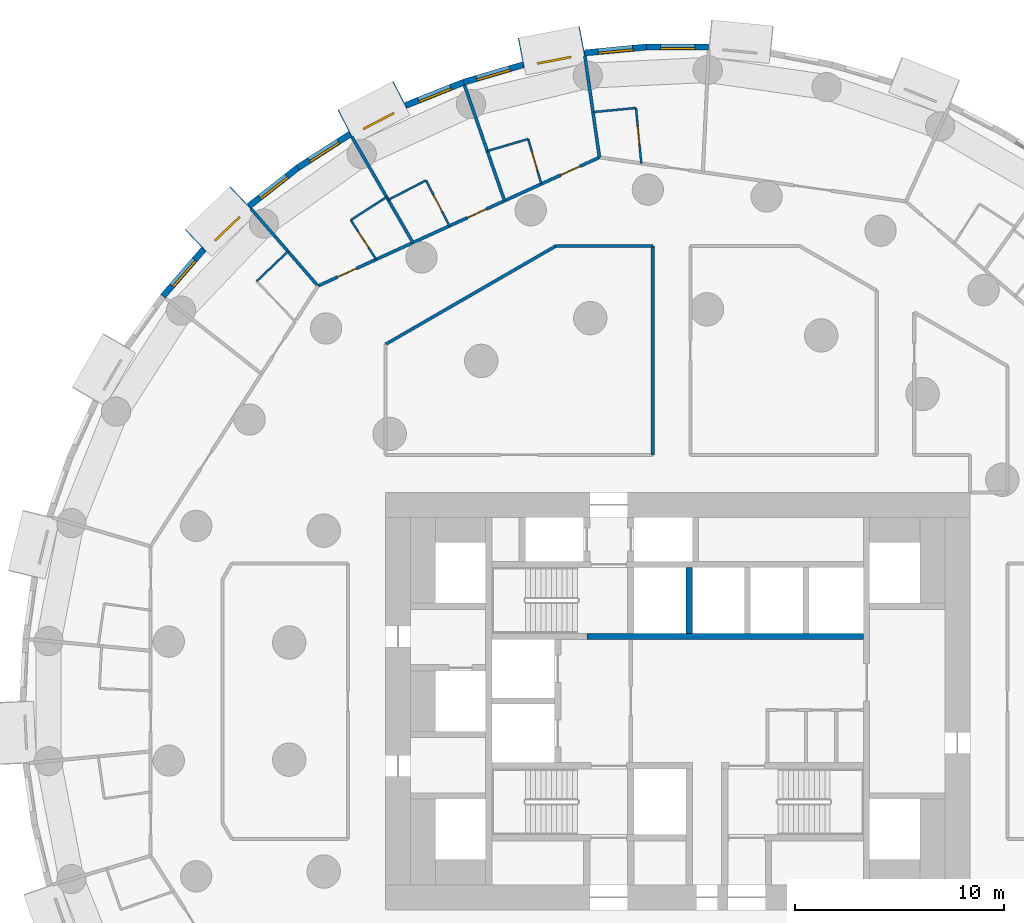
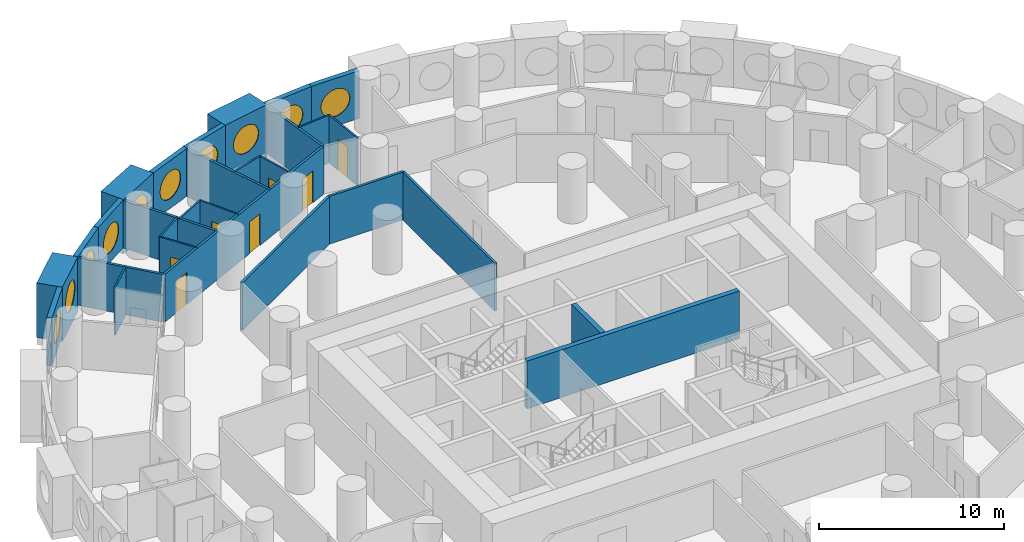
# One storey, part 8 of 12: 29 walls, 10 windows, 7 doors, 17 openings.
"""IFC4 building model written with IfcOpenShell, lengths in metres."""

from ifc_helpers import new_model, si_unit, direction, frame, frame_2d, origin, origin_2d, place, context, subcontext, project, spatial, rectangle, circle, extrude, material, layer, layer_set, type_object, element, fill, save


model = new_model("IFC4")

# Units and contexts
model_context = context("Model", 3, precision=1e-05, world=origin(), true_north=direction((0.0, 1.0)))
body_context = subcontext(model_context, "Body", "Model", "MODEL_VIEW")
ifc_project = project(units=[si_unit("LENGTHUNIT", "METRE"), si_unit("AREAUNIT", "SQUARE_METRE"), si_unit("VOLUMEUNIT", "CUBIC_METRE"), si_unit("PLANEANGLEUNIT", "RADIAN"), si_unit("MASSUNIT", "GRAM", prefix="KILO")], contexts=[model_context])

# Site, building, storey
site_placement = place(None, origin())
site = spatial("IfcSite", under=ifc_project, at=site_placement, CompositionType="ELEMENT")
building_placement = place(site_placement, origin())
building = spatial("IfcBuilding", under=site, at=building_placement, Name="Tracery Tower", CompositionType="ELEMENT")
storey_placement = place(building_placement, frame((0.0, 0.0, 28.199951171875)))
storey = spatial("IfcBuildingStorey", under=building, at=storey_placement, Name="L05", CompositionType="ELEMENT", Elevation=28.199951171875)

# Wall, opening, window
ifc_material_1 = material(Name="Precast concrete C50/60", Category="concrete")
ifc_layer_1 = layer(ifc_material_1, 1.449951171875)
ifc_layer_set_1 = layer_set([ifc_layer_1], Name="Deep-set bay unit 3000 x 3600, slab edge 450")
wall_type_1 = type_object("IfcWallType", Name="Deep-set bay unit 3000 x 3600, slab edge 450", PredefinedType="ELEMENTEDWALL", material=ifc_layer_set_1)
wall_1_placement = place(storey_placement, frame((-4.56689453125, 31.62109375, -0.449951171875), z_axis=(0.0, 0.0, 1.0), x_axis=(-0.981921602273, -0.189288052949, 0.0)))
wall_1 = element("IfcWall", 1, at=wall_1_placement, inside=storey, type_object=wall_type_1, Name="Deep-set bay unit 19 at L05", PredefinedType="ELEMENTEDWALL", context=body_context, shape_type="SweptSolid", body=[
    extrude(rectangle(XDim=3.0, YDim=1.449951171875, at=frame_2d((1.5, 0.0))), origin(), (0.0, 0.0, 1.0), 3.60009765625),
])
opening_1_placement = place(wall_1_placement, frame((1.5, 0.0, 2.0)))
opening_1 = element("IfcOpeningElement", 2, at=opening_1_placement, cuts=wall_1, Name="Opening WN1", PredefinedType="OPENING", context=body_context, shape_type="SweptSolid", body=[
    extrude(circle(Radius=0.9000244140625, at=origin_2d()), frame((0.0, 0.73486328125, 0.0), z_axis=(0.0, -1.0, 0.0), x_axis=(1.0, 0.0, 0.0)), (0.0, 0.0, 1.0), 1.469970703125),
])
ifc_material_2 = material(Name="Aluminium frame with tinted double glazing", Category="aluminium")
window_type = type_object("IfcWindowType", Name="Round window 1800", PartitioningType="SINGLE_PANEL", PredefinedType="WINDOW", material=ifc_material_2)
window_1_placement = place(opening_1_placement, origin())
window_1 = element("IfcWindow", 3, at=window_1_placement, inside=storey, type_object=window_type, Name="Round window 19 at L05", OverallHeight=1.800048828125, OverallWidth=1.800048828125, PartitioningType="SINGLE_PANEL", PredefinedType="WINDOW", context=body_context, shape_type="SweptSolid", body=[
    extrude(circle(Radius=0.9000244140625, at=origin_2d()), frame((0.0, 0.69482421875, 0.0), z_axis=(0.0, -1.0, 0.0), x_axis=(1.0, 0.0, 0.0)), (0.0, 0.0, 1.0), 0.10009765625),
])
fill(opening_1, window_1)

wall_2_placement = place(storey_placement, frame((-13.29052734375, 29.053466796875, -0.449951171875), z_axis=(0.0, 0.0, 1.0), x_axis=(-0.888858064689, -0.458182650083, 0.0)))
wall_2 = element("IfcWall", 4, at=wall_2_placement, inside=storey, type_object=wall_type_1, Name="Deep-set bay unit 22 at L05", PredefinedType="ELEMENTEDWALL", context=body_context, shape_type="SweptSolid", body=[
    extrude(rectangle(XDim=3.0, YDim=1.449951171875, at=frame_2d((1.5, 0.0))), origin(), (0.0, 0.0, 1.0), 3.60009765625),
])
opening_2_placement = place(wall_2_placement, frame((1.5, 0.0, 2.0)))
opening_2 = element("IfcOpeningElement", 5, at=opening_2_placement, cuts=wall_2, Name="Opening WN1", PredefinedType="OPENING", context=body_context, shape_type="SweptSolid", body=[
    extrude(circle(Radius=0.9000244140625, at=origin_2d()), frame((0.0, 0.73486328125, 0.0), z_axis=(0.0, -1.0, 0.0), x_axis=(1.0, 0.0, 0.0)), (0.0, 0.0, 1.0), 1.469970703125),
])
window_2_placement = place(opening_2_placement, origin())
window_2 = element("IfcWindow", 6, at=window_2_placement, inside=storey, type_object=window_type, Name="Round window 22 at L05", OverallHeight=1.800048828125, OverallWidth=1.800048828125, PartitioningType="SINGLE_PANEL", PredefinedType="WINDOW", context=body_context, shape_type="SweptSolid", body=[
    extrude(circle(Radius=0.9000244140625, at=origin_2d()), frame((0.0, 0.69482421875, 0.0), z_axis=(0.0, -1.0, 0.0), x_axis=(1.0, 0.0, 0.0)), (0.0, 0.0, 1.0), 0.10009765625),
])
fill(opening_2, window_2)

wall_3_placement = place(storey_placement, frame((-20.9375, 24.13232421875, -0.449951171875), z_axis=(0.0, 0.0, 1.0), x_axis=(-0.723712023899, -0.690102098579, 0.0)))
wall_3 = element("IfcWall", 7, at=wall_3_placement, inside=storey, type_object=wall_type_1, Name="Deep-set bay unit 25 at L05", PredefinedType="ELEMENTEDWALL", context=body_context, shape_type="SweptSolid", body=[
    extrude(rectangle(XDim=3.0, YDim=1.449951171875, at=frame_2d((1.5, 0.0))), origin(), (0.0, 0.0, 1.0), 3.60009765625),
])
opening_3_placement = place(wall_3_placement, frame((1.5, 0.0, 2.0)))
opening_3 = element("IfcOpeningElement", 8, at=opening_3_placement, cuts=wall_3, Name="Opening WN1", PredefinedType="OPENING", context=body_context, shape_type="SweptSolid", body=[
    extrude(circle(Radius=0.9000244140625, at=origin_2d()), frame((0.0, 0.73486328125, 0.0), z_axis=(0.0, -1.0, 0.0), x_axis=(1.0, 0.0, 0.0)), (0.0, 0.0, 1.0), 1.469970703125),
])
window_3_placement = place(opening_3_placement, origin())
window_3 = element("IfcWindow", 9, at=window_3_placement, inside=storey, type_object=window_type, Name="Round window 25 at L05", OverallHeight=1.800048828125, OverallWidth=1.800048828125, PartitioningType="SINGLE_PANEL", PredefinedType="WINDOW", context=body_context, shape_type="SweptSolid", body=[
    extrude(circle(Radius=0.9000244140625, at=origin_2d()), frame((0.0, 0.69482421875, 0.0), z_axis=(0.0, -1.0, 0.0), x_axis=(1.0, 0.0, 0.0)), (0.0, 0.0, 1.0), 0.10009765625),
])
fill(opening_3, window_3)

ifc_material_3 = material(Name="Precast concrete C50/60", Category="concrete")
ifc_layer_2 = layer(ifc_material_3, 0.300048828125)
ifc_layer_set_2 = layer_set([ifc_layer_2], Name="Facade panel 3000 x 3150")
wall_type_2 = type_object("IfcWallType", Name="Facade panel 3000 x 3150", PredefinedType="SOLIDWALL", material=ifc_layer_set_2)
wall_4_placement = place(storey_placement, frame((1.48681640625, 31.3388671875, 0.0), z_axis=(0.0, 0.0, 1.0), x_axis=(-1.0, 0.0, 0.0)))
wall_4 = element("IfcWall", 10, at=wall_4_placement, inside=storey, type_object=wall_type_2, Name="Facade panel 17 at L05", PredefinedType="SOLIDWALL", context=body_context, shape_type="SweptSolid", body=[
    extrude(rectangle(XDim=2.979736328125, YDim=0.300048828125, at=frame_2d((1.48974609375, 0.0))), origin(), (0.0, 0.0, 1.0), 3.150146484375),
])
opening_4_placement = place(wall_4_placement, frame((1.48974609375, 0.0, 1.5498046875)))
opening_4 = element("IfcOpeningElement", 11, at=opening_4_placement, cuts=wall_4, Name="Opening WN1", PredefinedType="OPENING", context=body_context, shape_type="SweptSolid", body=[
    extrude(circle(Radius=0.9000244140625, at=origin_2d()), frame((0.0, 0.159912109375, 0.0), z_axis=(0.0, -1.0, 0.0), x_axis=(1.0, 0.0, 0.0)), (0.0, 0.0, 1.0), 0.320068359375),
])
window_4_placement = place(opening_4_placement, origin())
window_4 = element("IfcWindow", 12, at=window_4_placement, inside=storey, type_object=window_type, Name="Round window 17 at L05", OverallHeight=1.800048828125, OverallWidth=1.800048828125, PartitioningType="SINGLE_PANEL", PredefinedType="WINDOW", context=body_context, shape_type="SweptSolid", body=[
    extrude(circle(Radius=0.9000244140625, at=origin_2d()), frame((0.0, 0.1201171875, 0.0), z_axis=(0.0, -1.0, 0.0), x_axis=(1.0, 0.0, 0.0)), (0.0, 0.0, 1.0), 0.10009765625),
])
fill(opening_4, window_4)

wall_5_placement = place(storey_placement, frame((-1.492919921875, 31.3388671875, 0.0), z_axis=(0.0, 0.0, 1.0), x_axis=(-0.995472611385, -0.095048829468, 0.0)))
wall_5 = element("IfcWall", 13, at=wall_5_placement, inside=storey, type_object=wall_type_2, Name="Facade panel 18 at L05", PredefinedType="SOLIDWALL", context=body_context, shape_type="SweptSolid", body=[
    extrude(rectangle(XDim=2.9794921875, YDim=0.300048828125, at=frame_2d((1.48974609375, 0.0))), origin(), (0.0, 0.0, 1.0), 3.150146484375),
])
opening_5_placement = place(wall_5_placement, frame((1.48974609375, 0.0, 1.5498046875)))
opening_5 = element("IfcOpeningElement", 14, at=opening_5_placement, cuts=wall_5, Name="Opening WN1", PredefinedType="OPENING", context=body_context, shape_type="SweptSolid", body=[
    extrude(circle(Radius=0.9000244140625, at=origin_2d()), frame((0.0, 0.159912109375, 0.0), z_axis=(0.0, -1.0, 0.0), x_axis=(1.0, 0.0, 0.0)), (0.0, 0.0, 1.0), 0.320068359375),
])
window_5_placement = place(opening_5_placement, origin())
window_5 = element("IfcWindow", 15, at=window_5_placement, inside=storey, type_object=window_type, Name="Round window 18 at L05", OverallHeight=1.800048828125, OverallWidth=1.800048828125, PartitioningType="SINGLE_PANEL", PredefinedType="WINDOW", context=body_context, shape_type="SweptSolid", body=[
    extrude(circle(Radius=0.9000244140625, at=origin_2d()), frame((0.0, 0.1201171875, 0.0), z_axis=(0.0, -1.0, 0.0), x_axis=(1.0, 0.0, 0.0)), (0.0, 0.0, 1.0), 0.10009765625),
])
fill(opening_5, window_5)

wall_6_placement = place(storey_placement, frame((-7.402587890625, 30.48828125, 0.0), z_axis=(0.0, 0.0, 1.0), x_axis=(-0.959501085144, -0.281704930036, 0.0)))
wall_6 = element("IfcWall", 16, at=wall_6_placement, inside=storey, type_object=wall_type_2, Name="Facade panel 20 at L05", PredefinedType="SOLIDWALL", context=body_context, shape_type="SweptSolid", body=[
    extrude(rectangle(XDim=2.9794921875, YDim=0.300048828125, at=frame_2d((1.48974609375, 0.0))), origin(), (0.0, 0.0, 1.0), 3.150146484375),
])
opening_6_placement = place(wall_6_placement, frame((1.48974609375, 0.0, 1.5498046875)))
opening_6 = element("IfcOpeningElement", 17, at=opening_6_placement, cuts=wall_6, Name="Opening WN1", PredefinedType="OPENING", context=body_context, shape_type="SweptSolid", body=[
    extrude(circle(Radius=0.9000244140625, at=origin_2d()), frame((0.0, 0.159912109375, 0.0), z_axis=(0.0, -1.0, 0.0), x_axis=(1.0, 0.0, 0.0)), (0.0, 0.0, 1.0), 0.320068359375),
])
window_6_placement = place(opening_6_placement, origin())
window_6 = element("IfcWindow", 18, at=window_6_placement, inside=storey, type_object=window_type, Name="Round window 20 at L05", OverallHeight=1.800048828125, OverallWidth=1.800048828125, PartitioningType="SINGLE_PANEL", PredefinedType="WINDOW", context=body_context, shape_type="SweptSolid", body=[
    extrude(circle(Radius=0.9000244140625, at=origin_2d()), frame((0.0, 0.1201171875, 0.0), z_axis=(0.0, -1.0, 0.0), x_axis=(1.0, 0.0, 0.0)), (0.0, 0.0, 1.0), 0.10009765625),
])
fill(opening_6, window_6)

wall_7_placement = place(storey_placement, frame((-10.261474609375, 29.64892578125, 0.0), z_axis=(0.0, 0.0, 1.0), x_axis=(-0.928374947, -0.371644935098, 0.0)))
wall_7 = element("IfcWall", 19, at=wall_7_placement, inside=storey, type_object=wall_type_2, Name="Facade panel 21 at L05", PredefinedType="SOLIDWALL", context=body_context, shape_type="SweptSolid", body=[
    extrude(rectangle(XDim=2.979736328125, YDim=0.300048828125, at=frame_2d((1.48974609375, 0.0))), origin(), (0.0, 0.0, 1.0), 3.150146484375),
])
opening_7_placement = place(wall_7_placement, frame((1.48974609375, 0.0, 1.5498046875)))
opening_7 = element("IfcOpeningElement", 20, at=opening_7_placement, cuts=wall_7, Name="Opening WN1", PredefinedType="OPENING", context=body_context, shape_type="SweptSolid", body=[
    extrude(circle(Radius=0.9000244140625, at=origin_2d()), frame((0.0, 0.159912109375, 0.0), z_axis=(0.0, -1.0, 0.0), x_axis=(1.0, 0.0, 0.0)), (0.0, 0.0, 1.0), 0.320068359375),
])
window_7_placement = place(opening_7_placement, origin())
window_7 = element("IfcWindow", 21, at=window_7_placement, inside=storey, type_object=window_type, Name="Round window 21 at L05", OverallHeight=1.800048828125, OverallWidth=1.800048828125, PartitioningType="SINGLE_PANEL", PredefinedType="WINDOW", context=body_context, shape_type="SweptSolid", body=[
    extrude(circle(Radius=0.9000244140625, at=origin_2d()), frame((0.0, 0.1201171875, 0.0), z_axis=(0.0, -1.0, 0.0), x_axis=(1.0, 0.0, 0.0)), (0.0, 0.0, 1.0), 0.10009765625),
])
fill(opening_7, window_7)

wall_8_placement = place(storey_placement, frame((-15.6923828125, 27.167724609375, 0.0), z_axis=(0.0, 0.0, 1.0), x_axis=(-0.841260995538, -0.54062920508, 0.0)))
wall_8 = element("IfcWall", 22, at=wall_8_placement, inside=storey, type_object=wall_type_2, Name="Facade panel 23 at L05", PredefinedType="SOLIDWALL", context=body_context, shape_type="SweptSolid", body=[
    extrude(rectangle(XDim=2.9794921875, YDim=0.300048828125, at=frame_2d((1.48974609375, 0.0))), origin(), (0.0, 0.0, 1.0), 3.150146484375),
])
opening_8_placement = place(wall_8_placement, frame((1.48974609375, 0.0, 1.5498046875)))
opening_8 = element("IfcOpeningElement", 23, at=opening_8_placement, cuts=wall_8, Name="Opening WN1", PredefinedType="OPENING", context=body_context, shape_type="SweptSolid", body=[
    extrude(circle(Radius=0.9000244140625, at=origin_2d()), frame((0.0, 0.159912109375, 0.0), z_axis=(0.0, -1.0, 0.0), x_axis=(1.0, 0.0, 0.0)), (0.0, 0.0, 1.0), 0.320068359375),
])
window_8_placement = place(opening_8_placement, origin())
window_8 = element("IfcWindow", 24, at=window_8_placement, inside=storey, type_object=window_type, Name="Round window 23 at L05", OverallHeight=1.800048828125, OverallWidth=1.800048828125, PartitioningType="SINGLE_PANEL", PredefinedType="WINDOW", context=body_context, shape_type="SweptSolid", body=[
    extrude(circle(Radius=0.9000244140625, at=origin_2d()), frame((0.0, 0.1201171875, 0.0), z_axis=(0.0, -1.0, 0.0), x_axis=(1.0, 0.0, 0.0)), (0.0, 0.0, 1.0), 0.10009765625),
])
fill(opening_8, window_8)

wall_9_placement = place(storey_placement, frame((-18.198974609375, 25.556884765625, 0.0), z_axis=(0.0, 0.0, 1.0), x_axis=(-0.786053834673, -0.618158045322, 0.0)))
wall_9 = element("IfcWall", 25, at=wall_9_placement, inside=storey, type_object=wall_type_2, Name="Facade panel 24 at L05", PredefinedType="SOLIDWALL", context=body_context, shape_type="SweptSolid", body=[
    extrude(rectangle(XDim=2.9794921875, YDim=0.300048828125, at=frame_2d((1.48974609375, 0.0))), origin(), (0.0, 0.0, 1.0), 3.150146484375),
])
opening_9_placement = place(wall_9_placement, frame((1.48974609375, 0.0, 1.5498046875)))
opening_9 = element("IfcOpeningElement", 26, at=opening_9_placement, cuts=wall_9, Name="Opening WN1", PredefinedType="OPENING", context=body_context, shape_type="SweptSolid", body=[
    extrude(circle(Radius=0.9000244140625, at=origin_2d()), frame((0.0, 0.159912109375, 0.0), z_axis=(0.0, -1.0, 0.0), x_axis=(1.0, 0.0, 0.0)), (0.0, 0.0, 1.0), 0.320068359375),
])
window_9_placement = place(opening_9_placement, origin())
window_9 = element("IfcWindow", 27, at=window_9_placement, inside=storey, type_object=window_type, Name="Round window 24 at L05", OverallHeight=1.800048828125, OverallWidth=1.800048828125, PartitioningType="SINGLE_PANEL", PredefinedType="WINDOW", context=body_context, shape_type="SweptSolid", body=[
    extrude(circle(Radius=0.9000244140625, at=origin_2d()), frame((0.0, 0.1201171875, 0.0), z_axis=(0.0, -1.0, 0.0), x_axis=(1.0, 0.0, 0.0)), (0.0, 0.0, 1.0), 0.10009765625),
])
fill(opening_9, window_9)

wall_10_placement = place(storey_placement, frame((-22.710693359375, 21.646240234375, 0.0), z_axis=(0.0, 0.0, 1.0), x_axis=(-0.654830712471, -0.755775587066, 0.0)))
wall_10 = element("IfcWall", 28, at=wall_10_placement, inside=storey, type_object=wall_type_2, Name="Facade panel 26 at L05", PredefinedType="SOLIDWALL", context=body_context, shape_type="SweptSolid", body=[
    extrude(rectangle(XDim=2.979736328125, YDim=0.300048828125, at=frame_2d((1.48974609375, 0.0))), origin(), (0.0, 0.0, 1.0), 3.150146484375),
])
opening_10_placement = place(wall_10_placement, frame((1.48974609375, 0.0, 1.5498046875)))
opening_10 = element("IfcOpeningElement", 29, at=opening_10_placement, cuts=wall_10, Name="Opening WN1", PredefinedType="OPENING", context=body_context, shape_type="SweptSolid", body=[
    extrude(circle(Radius=0.9000244140625, at=origin_2d()), frame((0.0, 0.159912109375, 0.0), z_axis=(0.0, -1.0, 0.0), x_axis=(1.0, 0.0, 0.0)), (0.0, 0.0, 1.0), 0.320068359375),
])
window_10_placement = place(opening_10_placement, origin())
window_10 = element("IfcWindow", 30, at=window_10_placement, inside=storey, type_object=window_type, Name="Round window 26 at L05", OverallHeight=1.800048828125, OverallWidth=1.800048828125, PartitioningType="SINGLE_PANEL", PredefinedType="WINDOW", context=body_context, shape_type="SweptSolid", body=[
    extrude(circle(Radius=0.9000244140625, at=origin_2d()), frame((0.0, 0.1201171875, 0.0), z_axis=(0.0, -1.0, 0.0), x_axis=(1.0, 0.0, 0.0)), (0.0, 0.0, 1.0), 0.10009765625),
])
fill(opening_10, window_10)

# Wall, opening, door
ifc_material_4 = material(Name="Plasterboard on steel studs", Category="steel")
ifc_layer_3 = layer(ifc_material_4, 0.10009765625)
ifc_layer_set_3 = layer_set([ifc_layer_3], Name="Partition 100 wet wall")
wall_type_3 = type_object("IfcWallType", Name="Partition 100 wet wall", PredefinedType="PARTITIONING", material=ifc_layer_set_3)
wall_11_placement = place(storey_placement, frame((-1.99609375, 28.41796875, 0.0), z_axis=(0.0, 0.0, 1.0), x_axis=(0.094925726797, -0.995484357683, 0.0)))
wall_11 = element("IfcWall", 31, at=wall_11_placement, inside=storey, type_object=wall_type_3, Name="Wet wall RA1-078", PredefinedType="PARTITIONING", context=body_context, shape_type="SweptSolid", body=[
    extrude(rectangle(XDim=2.6669921875, YDim=0.10009765625, at=frame_2d((1.33349609375, 0.0))), origin(), (0.0, 0.0, 1.0), 3.150146484375),
])
opening_11_placement = place(wall_11_placement, frame((0.883056640625, 0.0, 0.0)))
opening_11 = element("IfcOpeningElement", 32, at=opening_11_placement, cuts=wall_11, Name="Opening RA1-22", PredefinedType="OPENING", context=body_context, shape_type="SweptSolid", body=[
    extrude(rectangle(XDim=0.89990234375, YDim=2.0400390625, at=frame_2d((0.449951171875, 1.02001953125))), frame((0.0, 0.050048828125, 0.0), z_axis=(0.0, -1.0, 0.0), x_axis=(1.0, 0.0, 0.0)), (0.0, 0.0, 1.0), 0.10009765625),
])
ifc_material_5 = material(Name="Timber door leaf", Category="wood")
door_type_1 = type_object("IfcDoorType", Name="Door en-suite 900", OperationType="NOTDEFINED", PredefinedType="DOOR", material=ifc_material_5)
door_1_placement = place(opening_11_placement, origin())
door_1 = element("IfcDoor", 33, at=door_1_placement, inside=storey, type_object=door_type_1, Name="En-suite door RA1-22", OperationType="SINGLE_SWING_RIGHT", OverallHeight=2.0400390625, OverallWidth=0.89990234375, PredefinedType="DOOR", context=body_context, shape_type="SweptSolid", body=[
    extrude(rectangle(XDim=0.89990234375, YDim=2.0400390625, at=frame_2d((0.449951171875, 1.02001953125))), frame((0.0, 0.02490234375, 0.0), z_axis=(0.0, -1.0, 0.0), x_axis=(1.0, 0.0, 0.0)), (0.0, 0.0, 1.0), 0.050048828125),
])
fill(opening_11, door_1)

# Wall
wall_12_placement = place(storey_placement, frame((-4.05810546875, 28.220947265625, 0.0), z_axis=(0.0, 0.0, 1.0), x_axis=(0.995466291052, 0.095115000814, 0.0)))
element("IfcWall", 34, at=wall_12_placement, inside=storey, type_object=wall_type_3, Name="Wet wall RA1-079", PredefinedType="PARTITIONING", context=body_context, shape_type="SweptSolid", body=[
    extrude(rectangle(XDim=2.0712890625, YDim=0.10009765625, at=frame_2d((1.03564453125, 0.0))), origin(), (0.0, 0.0, 1.0), 3.150146484375),
])

# Wall, opening, door
wall_13_placement = place(storey_placement, frame((-7.1630859375, 26.929931640625, 0.0), z_axis=(0.0, 0.0, 1.0), x_axis=(0.281948165188, -0.959429638977, 0.0)))
wall_13 = element("IfcWall", 35, at=wall_13_placement, inside=storey, type_object=wall_type_3, Name="Wet wall RA1-081", PredefinedType="PARTITIONING", context=body_context, shape_type="SweptSolid", body=[
    extrude(rectangle(XDim=2.241943359375, YDim=0.10009765625, at=frame_2d((1.12109375, 0.0))), origin(), (0.0, 0.0, 1.0), 3.150146484375),
])
opening_12_placement = place(wall_13_placement, frame((0.6708984375, 0.0, 0.0)))
opening_12 = element("IfcOpeningElement", 36, at=opening_12_placement, cuts=wall_13, Name="Opening RA1-24", PredefinedType="OPENING", context=body_context, shape_type="SweptSolid", body=[
    extrude(rectangle(XDim=0.89990234375, YDim=2.0400390625, at=frame_2d((0.449951171875, 1.02001953125))), frame((0.0, 0.050048828125, 0.0), z_axis=(0.0, -1.0, 0.0), x_axis=(1.0, 0.0, 0.0)), (0.0, 0.0, 1.0), 0.10009765625),
])
door_2_placement = place(opening_12_placement, origin())
door_2 = element("IfcDoor", 37, at=door_2_placement, inside=storey, type_object=door_type_1, Name="En-suite door RA1-24", OperationType="SINGLE_SWING_RIGHT", OverallHeight=2.0400390625, OverallWidth=0.89990234375, PredefinedType="DOOR", context=body_context, shape_type="SweptSolid", body=[
    extrude(rectangle(XDim=0.89990234375, YDim=2.0400390625, at=frame_2d((0.449951171875, 1.02001953125))), frame((0.0, 0.02490234375, 0.0), z_axis=(0.0, -1.0, 0.0), x_axis=(1.0, 0.0, 0.0)), (0.0, 0.0, 1.0), 0.050048828125),
])
fill(opening_12, door_2)

# Wall
wall_14_placement = place(storey_placement, frame((-9.12109375, 26.35498046875, 0.0), z_axis=(0.0, 0.0, 1.0), x_axis=(0.95948923736, 0.281745281045, 0.0)))
element("IfcWall", 38, at=wall_14_placement, inside=storey, type_object=wall_type_3, Name="Wet wall RA1-082", PredefinedType="PARTITIONING", context=body_context, shape_type="SweptSolid", body=[
    extrude(rectangle(XDim=2.040771484375, YDim=0.10009765625, at=frame_2d((1.0205078125, 0.0))), origin(), (0.0, 0.0, 1.0), 3.150146484375),
])

# Wall, opening, door
wall_15_placement = place(storey_placement, frame((-12.05810546875, 24.947998046875, 0.0), z_axis=(0.0, 0.0, 1.0), x_axis=(0.458287904527, -0.888803800939, 0.0)))
wall_15 = element("IfcWall", 39, at=wall_15_placement, inside=storey, type_object=wall_type_3, Name="Wet wall RA1-084", PredefinedType="PARTITIONING", context=body_context, shape_type="SweptSolid", body=[
    extrude(rectangle(XDim=2.45263671875, YDim=0.10009765625, at=frame_2d((1.226318359375, 0.0))), origin(), (0.0, 0.0, 1.0), 3.150146484375),
])
opening_13_placement = place(wall_15_placement, frame((0.776611328125, 0.0, 0.0)))
opening_13 = element("IfcOpeningElement", 40, at=opening_13_placement, cuts=wall_15, Name="Opening RA1-26", PredefinedType="OPENING", context=body_context, shape_type="SweptSolid", body=[
    extrude(rectangle(XDim=0.89990234375, YDim=2.0400390625, at=frame_2d((0.449951171875, 1.02001953125))), frame((0.0, 0.050048828125, 0.0), z_axis=(0.0, -1.0, 0.0), x_axis=(1.0, 0.0, 0.0)), (0.0, 0.0, 1.0), 0.10009765625),
])
door_3_placement = place(opening_13_placement, origin())
door_3 = element("IfcDoor", 41, at=door_3_placement, inside=storey, type_object=door_type_1, Name="En-suite door RA1-26", OperationType="SINGLE_SWING_LEFT", OverallHeight=2.0400390625, OverallWidth=0.89990234375, PredefinedType="DOOR", context=body_context, shape_type="SweptSolid", body=[
    extrude(rectangle(XDim=0.89990234375, YDim=2.0400390625, at=frame_2d((0.449951171875, 1.02001953125))), frame((0.0, 0.02490234375, 0.0), z_axis=(0.0, -1.0, 0.0), x_axis=(1.0, 0.0, 0.0)), (0.0, 0.0, 1.0), 0.050048828125),
])
fill(opening_13, door_3)

# Walls
wall_16_placement = place(storey_placement, frame((-13.865966796875, 24.01611328125, 0.0), z_axis=(0.0, 0.0, 1.0), x_axis=(0.888861985525, 0.45817504372, 0.0)))
element("IfcWall", 42, at=wall_16_placement, inside=storey, type_object=wall_type_3, Name="Wet wall RA1-085", PredefinedType="PARTITIONING", context=body_context, shape_type="SweptSolid", body=[
    extrude(rectangle(XDim=2.033935546875, YDim=0.10009765625, at=frame_2d((1.01708984375, 0.0))), origin(), (0.0, 0.0, 1.0), 3.150146484375),
])
wall_17_placement = place(storey_placement, frame((-15.660888671875, 23.048095703125, 0.0), z_axis=(0.0, 0.0, 1.0), x_axis=(0.84110074148, 0.540878491606, 0.0)))
element("IfcWall", 43, at=wall_17_placement, inside=storey, type_object=wall_type_3, Name="Wet wall RA1-087", PredefinedType="PARTITIONING", context=body_context, shape_type="SweptSolid", body=[
    extrude(rectangle(XDim=2.041015625, YDim=0.10009765625, at=frame_2d((1.0205078125, 0.0))), origin(), (0.0, 0.0, 1.0), 3.150146484375),
])

# Wall, opening, door
wall_18_placement = place(storey_placement, frame((-15.660888671875, 23.048095703125, 0.0), z_axis=(0.0, 0.0, 1.0), x_axis=(0.540796133976, -0.841153696702, 0.0)))
wall_18 = element("IfcWall", 44, at=wall_18_placement, inside=storey, type_object=wall_type_3, Name="Wet wall RA1-088", PredefinedType="PARTITIONING", context=body_context, shape_type="SweptSolid", body=[
    extrude(rectangle(XDim=2.240966796875, YDim=0.10009765625, at=frame_2d((1.12060546875, 0.0))), origin(), (0.0, 0.0, 1.0), 3.150146484375),
])
opening_14_placement = place(wall_18_placement, frame((0.6708984375, 0.0, 0.0)))
opening_14 = element("IfcOpeningElement", 45, at=opening_14_placement, cuts=wall_18, Name="Opening RA1-28", PredefinedType="OPENING", context=body_context, shape_type="SweptSolid", body=[
    extrude(rectangle(XDim=0.89990234375, YDim=2.0400390625, at=frame_2d((0.449951171875, 1.02001953125))), frame((0.0, 0.050048828125, 0.0), z_axis=(0.0, -1.0, 0.0), x_axis=(1.0, 0.0, 0.0)), (0.0, 0.0, 1.0), 0.10009765625),
])
door_4_placement = place(opening_14_placement, origin())
door_4 = element("IfcDoor", 46, at=door_4_placement, inside=storey, type_object=door_type_1, Name="En-suite door RA1-28", OperationType="SINGLE_SWING_RIGHT", OverallHeight=2.0400390625, OverallWidth=0.89990234375, PredefinedType="DOOR", context=body_context, shape_type="SweptSolid", body=[
    extrude(rectangle(XDim=0.89990234375, YDim=2.0400390625, at=frame_2d((0.449951171875, 1.02001953125))), frame((0.0, 0.02490234375, 0.0), z_axis=(0.0, -1.0, 0.0), x_axis=(1.0, 0.0, 0.0)), (0.0, 0.0, 1.0), 0.050048828125),
])
fill(opening_14, door_4)

# Walls
wall_19_placement = place(storey_placement, frame((-20.1689453125, 20.117919921875, 0.0), z_axis=(0.0, 0.0, 1.0), x_axis=(0.723537557066, 0.690285016145, 0.0)))
element("IfcWall", 47, at=wall_19_placement, inside=storey, type_object=wall_type_3, Name="Wet wall RA1-090", PredefinedType="PARTITIONING", context=body_context, shape_type="SweptSolid", body=[
    extrude(rectangle(XDim=2.070556640625, YDim=0.10009765625, at=frame_2d((1.03515625, 0.0))), origin(), (0.0, 0.0, 1.0), 3.150146484375),
])
ifc_material_6 = material(Name="Plasterboard on steel studs", Category="steel")
ifc_layer_4 = layer(ifc_material_6, 0.14990234375)
ifc_layer_set_4 = layer_set([ifc_layer_4], Name="Partition 150 acoustic unit wall")
wall_type_4 = type_object("IfcWallType", Name="Partition 150 acoustic unit wall", PredefinedType="PARTITIONING", material=ifc_layer_set_4)
wall_20_placement = place(storey_placement, frame((-4.444091796875, 30.906005859375, 0.0), z_axis=(0.0, 0.0, 1.0), x_axis=(0.142306296561, -0.989822669956, 0.0)))
element("IfcWall", 48, at=wall_20_placement, inside=storey, type_object=wall_type_4, Name="Unit wall RA1-080", PredefinedType="PARTITIONING", context=body_context, shape_type="SweptSolid", body=[
    extrude(rectangle(XDim=4.90478515625, YDim=0.14990234375, at=frame_2d((2.452392578125, 0.0))), origin(), (0.0, 0.0, 1.0), 3.150146484375),
])
wall_21_placement = place(storey_placement, frame((-10.2119140625, 29.507080078125, 0.0), z_axis=(0.0, 0.0, 1.0), x_axis=(0.327061884856, -0.945002922469, 0.0)))
element("IfcWall", 49, at=wall_21_placement, inside=storey, type_object=wall_type_4, Name="Unit wall RA1-083", PredefinedType="PARTITIONING", context=body_context, shape_type="SweptSolid", body=[
    extrude(rectangle(XDim=5.856689453125, YDim=0.14990234375, at=frame_2d((2.92822265625, 0.0))), origin(), (0.0, 0.0, 1.0), 3.150146484375),
])
wall_22_placement = place(storey_placement, frame((-15.612060546875, 27.041015625, 0.0), z_axis=(0.0, 0.0, 1.0), x_axis=(0.499824700643, -0.866126589262, 0.0)))
element("IfcWall", 50, at=wall_22_placement, inside=storey, type_object=wall_type_4, Name="Unit wall RA1-086", PredefinedType="PARTITIONING", context=body_context, shape_type="SweptSolid", body=[
    extrude(rectangle(XDim=5.8564453125, YDim=0.14990234375, at=frame_2d((2.92822265625, 0.0))), origin(), (0.0, 0.0, 1.0), 3.150146484375),
])
wall_23_placement = place(storey_placement, frame((-20.447998046875, 23.597900390625, 0.0), z_axis=(0.0, 0.0, 1.0), x_axis=(0.654900226821, -0.755715351776, 0.0)))
element("IfcWall", 51, at=wall_23_placement, inside=storey, type_object=wall_type_4, Name="Unit wall RA1-089", PredefinedType="PARTITIONING", context=body_context, shape_type="SweptSolid", body=[
    extrude(rectangle(XDim=4.90625, YDim=0.14990234375, at=frame_2d((2.453125, 0.0))), origin(), (0.0, 0.0, 1.0), 3.150146484375),
])
ifc_material_7 = material(Name="Plasterboard on steel studs", Category="steel")
ifc_layer_5 = layer(ifc_material_7, 0.14990234375)
ifc_layer_set_5 = layer_set([ifc_layer_5], Name="Partition 150 corridor wall")
wall_type_5 = type_object("IfcWallType", Name="Partition 150 corridor wall", PredefinedType="PARTITIONING", material=ifc_layer_set_5)
wall_24_placement = place(storey_placement, frame((-1.19189453125, 11.800048828125, 0.0), z_axis=(0.0, 0.0, 1.0), x_axis=(0.0, 1.0, 0.0)))
element("IfcWall", 52, at=wall_24_placement, inside=storey, type_object=wall_type_5, Name="Corridor wall RA1-024", PredefinedType="PARTITIONING", context=body_context, shape_type="SweptSolid", body=[
    extrude(rectangle(XDim=10.001953125, YDim=0.14990234375, at=frame_2d((5.0009765625, 0.0))), origin(), (0.0, 0.0, 1.0), 3.150146484375),
])
wall_25_placement = place(storey_placement, frame((-5.842041015625, 21.802001953125, 0.0), z_axis=(0.0, 0.0, 1.0), x_axis=(1.0, 0.0, 0.0)))
element("IfcWall", 53, at=wall_25_placement, inside=storey, type_object=wall_type_5, Name="Corridor wall RA1-025", PredefinedType="PARTITIONING", context=body_context, shape_type="SweptSolid", body=[
    extrude(rectangle(XDim=4.650146484375, YDim=0.14990234375, at=frame_2d((2.3251953125, 0.0))), origin(), (0.0, 0.0, 1.0), 3.150146484375),
])
wall_26_placement = place(storey_placement, frame((-14.0, 17.092041015625, 0.0), z_axis=(0.0, 0.0, 1.0), x_axis=(0.86602719091, 0.499996904595, 0.0)))
element("IfcWall", 54, at=wall_26_placement, inside=storey, type_object=wall_type_5, Name="Corridor wall RA1-026", PredefinedType="PARTITIONING", context=body_context, shape_type="SweptSolid", body=[
    extrude(rectangle(XDim=9.419921875, YDim=0.14990234375, at=frame_2d((4.7099609375, 0.0))), origin(), (0.0, 0.0, 1.0), 3.150146484375),
])

# Wall, openings, doors
wall_27_placement = place(storey_placement, frame((-17.23388671875, 19.8876953125, 0.0), z_axis=(0.0, 0.0, 1.0), x_axis=(0.90953867323, 0.415619299238, 0.0)))
wall_27 = element("IfcWall", 55, at=wall_27_placement, inside=storey, type_object=wall_type_5, Name="Corridor wall RA1-035", PredefinedType="PARTITIONING", context=body_context, shape_type="SweptSolid", body=[
    extrude(rectangle(XDim=14.829345703125, YDim=0.14990234375, at=frame_2d((7.41455078125, 0.0))), origin(), (0.0, 0.0, 1.0), 3.150146484375),
])
opening_15_placement = place(wall_27_placement, frame((12.797119140625, 0.0, 0.0)))
opening_15 = element("IfcOpeningElement", 56, at=opening_15_placement, cuts=wall_27, Name="Opening RA1-25", PredefinedType="OPENING", context=body_context, shape_type="SweptSolid", body=[
    extrude(rectangle(XDim=1.0, YDim=2.10009765625, at=frame_2d((0.5, 1.050048828125))), frame((0.0, 0.074951171875, 0.0), z_axis=(0.0, -1.0, 0.0), x_axis=(1.0, 0.0, 0.0)), (0.0, 0.0, 1.0), 0.14990234375),
])
opening_16_placement = place(wall_27_placement, frame((7.876708984375, 0.0, 0.0)))
opening_16 = element("IfcOpeningElement", 57, at=opening_16_placement, cuts=wall_27, Name="Opening RA1-27", PredefinedType="OPENING", context=body_context, shape_type="SweptSolid", body=[
    extrude(rectangle(XDim=1.0, YDim=2.10009765625, at=frame_2d((0.5, 1.050048828125))), frame((0.0, 0.074951171875, 0.0), z_axis=(0.0, -1.0, 0.0), x_axis=(1.0, 0.0, 0.0)), (0.0, 0.0, 1.0), 0.14990234375),
])
opening_17_placement = place(wall_27_placement, frame((1.033935546875, 0.0, 0.0)))
opening_17 = element("IfcOpeningElement", 58, at=opening_17_placement, cuts=wall_27, Name="Opening RA1-29", PredefinedType="OPENING", context=body_context, shape_type="SweptSolid", body=[
    extrude(rectangle(XDim=1.0, YDim=2.10009765625, at=frame_2d((0.5, 1.050048828125))), frame((0.0, 0.074951171875, 0.0), z_axis=(0.0, -1.0, 0.0), x_axis=(1.0, 0.0, 0.0)), (0.0, 0.0, 1.0), 0.14990234375),
])
ifc_material_8 = material(Name="Timber door leaf", Category="wood")
door_type_2 = type_object("IfcDoorType", Name="Door unit entrance 1000", OperationType="NOTDEFINED", PredefinedType="DOOR", material=ifc_material_8)
door_5_placement = place(opening_15_placement, origin())
door_5 = element("IfcDoor", 59, at=door_5_placement, inside=storey, type_object=door_type_2, Name="Unit entrance door RA1-25", OperationType="SINGLE_SWING_RIGHT", OverallHeight=2.10009765625, OverallWidth=1.0, PredefinedType="DOOR", context=body_context, shape_type="SweptSolid", body=[
    extrude(rectangle(XDim=1.0, YDim=2.10009765625, at=frame_2d((0.5, 1.050048828125))), frame((0.0, 0.02490234375, 0.0), z_axis=(0.0, -1.0, 0.0), x_axis=(1.0, 0.0, 0.0)), (0.0, 0.0, 1.0), 0.050048828125),
])
fill(opening_15, door_5)
door_6_placement = place(opening_16_placement, origin())
door_6 = element("IfcDoor", 60, at=door_6_placement, inside=storey, type_object=door_type_2, Name="Unit entrance door RA1-27", OperationType="SINGLE_SWING_LEFT", OverallHeight=2.10009765625, OverallWidth=1.0, PredefinedType="DOOR", context=body_context, shape_type="SweptSolid", body=[
    extrude(rectangle(XDim=1.0, YDim=2.10009765625, at=frame_2d((0.5, 1.050048828125))), frame((0.0, 0.02490234375, 0.0), z_axis=(0.0, -1.0, 0.0), x_axis=(1.0, 0.0, 0.0)), (0.0, 0.0, 1.0), 0.050048828125),
])
fill(opening_16, door_6)
door_7_placement = place(opening_17_placement, origin())
door_7 = element("IfcDoor", 61, at=door_7_placement, inside=storey, type_object=door_type_2, Name="Unit entrance door RA1-29", OperationType="SINGLE_SWING_RIGHT", OverallHeight=2.10009765625, OverallWidth=1.0, PredefinedType="DOOR", context=body_context, shape_type="SweptSolid", body=[
    extrude(rectangle(XDim=1.0, YDim=2.10009765625, at=frame_2d((0.5, 1.050048828125))), frame((0.0, 0.02490234375, 0.0), z_axis=(0.0, -1.0, 0.0), x_axis=(1.0, 0.0, 0.0)), (0.0, 0.0, 1.0), 0.050048828125),
])
fill(opening_17, door_7)

# Walls
ifc_material_9 = material(Name="Concrete C60/75", Category="concrete")
ifc_layer_6 = layer(ifc_material_9, 0.300048828125)
ifc_layer_set_6 = layer_set([ifc_layer_6], Name="Shaft wall 300 C60")
wall_type_6 = type_object("IfcWallType", Name="Shaft wall 300 C60", PredefinedType="SOLIDWALL", material=ifc_layer_set_6)
wall_28_placement = place(storey_placement, frame((0.550048828125, 3.25, 0.0), z_axis=(0.0, 0.0, 1.0), x_axis=(0.0, 1.0, 0.0)))
element("IfcWall", 62, at=wall_28_placement, inside=storey, type_object=wall_type_6, Name="L05 HR sep 1", PredefinedType="SOLIDWALL", context=body_context, shape_type="SweptSolid", body=[
    extrude(rectangle(XDim=3.14990234375, YDim=0.300048828125, at=frame_2d((1.574951171875, 0.0))), origin(), (0.0, 0.0, 1.0), 3.150146484375),
])
ifc_material_10 = material(Name="Concrete C60/75", Category="concrete")
ifc_layer_7 = layer(ifc_material_10, 0.300048828125)
ifc_layer_set_7 = layer_set([ifc_layer_7], Name="Stair wall 300 C60")
wall_type_7 = type_object("IfcWallType", Name="Stair wall 300 C60", PredefinedType="SOLIDWALL", material=ifc_layer_set_7)
wall_29_placement = place(storey_placement, frame((-4.35009765625, 3.10009765625, 0.0), z_axis=(0.0, 0.0, 1.0), x_axis=(1.0, 0.0, 0.0)))
element("IfcWall", 63, at=wall_29_placement, inside=storey, type_object=wall_type_7, Name="L05 row N", PredefinedType="SOLIDWALL", context=body_context, shape_type="SweptSolid", body=[
    extrude(rectangle(XDim=13.25, YDim=0.300048828125, at=frame_2d((6.625, 0.0))), origin(), (0.0, 0.0, 1.0), 3.150146484375),
])

save(model, "model.ifc")
